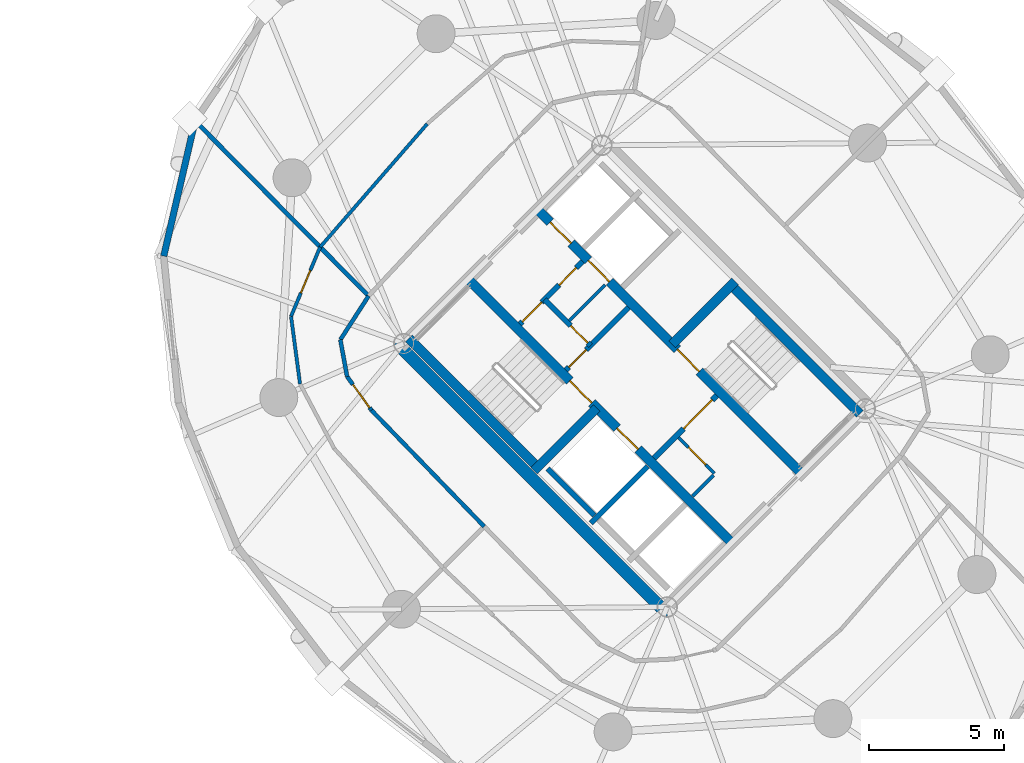
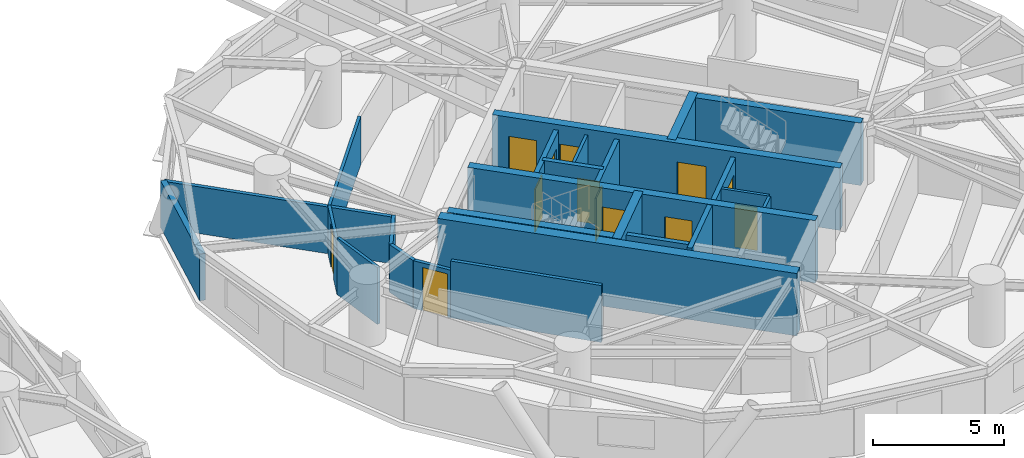
# One storey, part 13 of 18: 25 walls, 13 doors, 13 openings.
"""IFC4 building model written with IfcOpenShell, lengths in metres."""

from ifc_helpers import new_model, si_unit, direction, frame, frame_2d, origin, place, context, subcontext, project, spatial, rectangle, extrude, source, transform, mapped, material, layer, layer_set, type_object, element, fill, save


model = new_model("IFC4")

# Units and contexts
model_context = context("Model", 3, precision=1e-05, world=origin(), true_north=direction((0.0, 1.0)))
body_context = subcontext(model_context, "Body", "Model", "MODEL_VIEW")
ifc_project = project(units=[si_unit("LENGTHUNIT", "METRE"), si_unit("AREAUNIT", "SQUARE_METRE"), si_unit("VOLUMEUNIT", "CUBIC_METRE"), si_unit("PLANEANGLEUNIT", "RADIAN"), si_unit("MASSUNIT", "GRAM", prefix="KILO")], contexts=[model_context])

# Site, building, storey
site_placement = place(None, origin())
site = spatial("IfcSite", under=ifc_project, at=site_placement, CompositionType="ELEMENT")
building_placement = place(site_placement, origin())
building = spatial("IfcBuilding", under=site, at=building_placement, Name="Cununo Teusaquillo Station Towers", CompositionType="ELEMENT")
storey_placement = place(building_placement, frame((0.0, 0.0, 93.429931640625)))
storey = spatial("IfcBuildingStorey", under=building, at=storey_placement, Name="L29", CompositionType="ELEMENT", Elevation=93.429931640625)

# Walls
ifc_material_1 = material(Name="Concrete C50/60", Category="concrete")
ifc_layer_1 = layer(ifc_material_1, 0.199951171875)
ifc_layer_set_1 = layer_set([ifc_layer_1], Name="Concrete C50/60")
wall_type_1 = type_object("IfcWallType", Name="WL-CORE-200", PredefinedType="SHEAR", material=ifc_layer_set_1)
wall_1_placement = place(storey_placement, frame((55.8876953125, 19.0693359375, 0.0), z_axis=(0.0, 0.0, 1.0), x_axis=(0.707106781187, 0.707106781187, 0.0)))
element("IfcWall", 1, at=wall_1_placement, inside=storey, type_object=wall_type_1, Name="L29 Tower B Firefighting Lift Shaft South Shear Wall", PredefinedType="SHEAR", context=body_context, shape_type="SweptSolid", body=[
    extrude(rectangle(XDim=2.969970703125, YDim=0.199951171875, at=frame_2d((1.48486328125, 0.0))), origin(), (0.0, 0.0, 1.0), 2.91015625),
])
wall_2_placement = place(storey_placement, frame((56.01513671875, 19.366455078125, 0.0), z_axis=(0.0, 0.0, 1.0), x_axis=(-0.707106781187, 0.707106781187, 0.0)))
element("IfcWall", 2, at=wall_2_placement, inside=storey, type_object=wall_type_1, Name="L29 Tower B Firefighting Lift Shaft Rear Shear Wall", PredefinedType="SHEAR", context=body_context, shape_type="SweptSolid", body=[
    extrude(rectangle(XDim=2.43994140625, YDim=0.199951171875, at=frame_2d((1.219970703125, 0.0))), origin(), (0.0, 0.0, 1.0), 2.91015625),
])

# Wall, openings, doors
ifc_material_2 = material(Name="Concrete C50/60", Category="concrete")
ifc_layer_2 = layer(ifc_material_2, 0.35009765625)
ifc_layer_set_2 = layer_set([ifc_layer_2], Name="Concrete C50/60")
wall_type_2 = type_object("IfcWallType", Name="WL-CORE-350", PredefinedType="SHEAR", material=ifc_layer_set_2)
wall_3_placement = place(storey_placement, frame((61.077880859375, 18.355224609375, 0.0), z_axis=(0.0, 0.0, 1.0), x_axis=(-0.707106781187, 0.707106781187, 0.0)))
wall_3 = element("IfcWall", 3, at=wall_3_placement, inside=storey, type_object=wall_type_2, Name="L29 Tower B Core Shear Wall IW", PredefinedType="SHEAR", context=body_context, shape_type="SweptSolid", body=[
    extrude(rectangle(XDim=13.75, YDim=0.35009765625, at=frame_2d((6.875, 0.0))), origin(), (0.0, 0.0, 1.0), 2.91015625),
])
shared_shape_1 = source(origin(), body_context, "Body", "SweptSolid", [
    extrude(rectangle(XDim=1.10009765625, YDim=2.014892578125, at=frame_2d((0.550048828125, 1.00732421875))), frame((0.0, 0.18505859375, 0.0), z_axis=(0.0, -1.0, 0.0), x_axis=(1.0, 0.0, 0.0)), (0.0, 0.0, 1.0), 0.3701171875),
])
opening_1_placement = place(wall_3_placement, frame((4.875, 0.0, 0.0)))
opening_1 = element("IfcOpeningElement", 4, at=opening_1_placement, cuts=wall_3, Name="Opening LD-01", PredefinedType="OPENING", context=body_context, shape_type="MappedRepresentation", body=[
    mapped(shared_shape_1, transform((0.0, 0.0, 0.0), x_axis=(1.0, 0.0, 0.0), y_axis=(0.0, 1.0, 0.0), z_axis=(0.0, 0.0, 1.0), scale=1.0)),
])
shared_shape_2 = source(origin(), body_context, "Body", "SweptSolid", [
    extrude(rectangle(XDim=1.14990234375, YDim=2.02001953125, at=frame_2d((0.574951171875, 1.010009765625))), frame((0.0, 0.18505859375, 0.0), z_axis=(0.0, -1.0, 0.0), x_axis=(1.0, 0.0, 0.0)), (0.0, 0.0, 1.0), 0.3701171875),
])
opening_2_placement = place(wall_3_placement, frame((7.294921875, 0.0, 0.0)))
opening_2 = element("IfcOpeningElement", 5, at=opening_2_placement, cuts=wall_3, Name="Opening D-ST1", PredefinedType="OPENING", context=body_context, shape_type="MappedRepresentation", body=[
    mapped(shared_shape_2, transform((0.0, 0.0, 0.0), x_axis=(1.0, 0.0, 0.0), y_axis=(0.0, 1.0, 0.0), z_axis=(0.0, 0.0, 1.0), scale=1.0)),
])
ifc_material_3 = material(Name="Galvanised fire-rated hollow steel door assembly", Category="steel")
door_type_1 = type_object("IfcDoorType", Name="DR-LIFT-1100", OperationType="SLIDING_TO_LEFT", PredefinedType="DOOR", material=ifc_material_3)
shared_shape_3 = source(origin(), body_context, "Body", "SweptSolid", [
    extrude(rectangle(XDim=1.10009765625, YDim=2.014892578125, at=frame_2d((0.550048828125, 1.00732421875))), frame((0.0, 0.02490234375, 0.0), z_axis=(0.0, -1.0, 0.0), x_axis=(1.0, 0.0, 0.0)), (0.0, 0.0, 1.0), 0.050048828125),
])
door_1_placement = place(opening_1_placement, origin())
door_1 = element("IfcDoor", 6, at=door_1_placement, inside=storey, type_object=door_type_1, Name="L29 Lift FL-T2 Sliding Landing Door", OperationType="SLIDING_TO_LEFT", OverallHeight=2.014892578125, OverallWidth=1.10009765625, PredefinedType="DOOR", context=body_context, shape_type="MappedRepresentation", body=[
    mapped(shared_shape_3, transform((0.0, 0.0, 0.0), x_axis=(1.0, 0.0, 0.0), y_axis=(0.0, 1.0, 0.0), z_axis=(0.0, 0.0, 1.0), scale=1.0)),
])
fill(opening_1, door_1)
ifc_material_4 = material(Name="Galvanised fire-rated hollow steel door assembly", Category="steel")
door_type_2 = type_object("IfcDoorType", Name="DR-STAIR-1150", OperationType="NOTDEFINED", PredefinedType="DOOR", material=ifc_material_4)
shared_shape_4 = source(origin(), body_context, "Body", "SweptSolid", [
    extrude(rectangle(XDim=1.14990234375, YDim=2.02001953125, at=frame_2d((0.574951171875, 1.010009765625))), frame((0.0, 0.02490234375, 0.0), z_axis=(0.0, -1.0, 0.0), x_axis=(1.0, 0.0, 0.0)), (0.0, 0.0, 1.0), 0.050048828125),
])
door_2_placement = place(opening_2_placement, origin())
door_2 = element("IfcDoor", 7, at=door_2_placement, inside=storey, type_object=door_type_2, Name="L29 Tower B Exit Stair 1 Fire Door", OperationType="SINGLE_SWING_LEFT", OverallHeight=2.02001953125, OverallWidth=1.14990234375, PredefinedType="DOOR", context=body_context, shape_type="MappedRepresentation", body=[
    mapped(shared_shape_4, transform((0.0, 0.0, 0.0), x_axis=(1.0, 0.0, 0.0), y_axis=(0.0, 1.0, 0.0), z_axis=(0.0, 0.0, 1.0), scale=1.0)),
])
fill(opening_2, door_2)

wall_4_placement = place(storey_placement, frame((63.644775390625, 20.922119140625, 0.0), z_axis=(0.0, 0.0, 1.0), x_axis=(-0.707106781187, 0.707106781187, 0.0)))
wall_4 = element("IfcWall", 8, at=wall_4_placement, inside=storey, type_object=wall_type_2, Name="L29 Tower B Core Shear Wall IE", PredefinedType="SHEAR", context=body_context, shape_type="SweptSolid", body=[
    extrude(rectangle(XDim=13.75, YDim=0.35009765625, at=frame_2d((6.875, 0.0))), origin(), (0.0, 0.0, 1.0), 2.91015625),
])
opening_3_placement = place(wall_4_placement, frame((10.0, 0.0, 0.0)))
opening_3 = element("IfcOpeningElement", 9, at=opening_3_placement, cuts=wall_4, Name="Opening LD-01", PredefinedType="OPENING", context=body_context, shape_type="MappedRepresentation", body=[
    mapped(shared_shape_1, transform((0.0, 0.0, 0.0), x_axis=(1.0, 0.0, 0.0), y_axis=(0.0, 1.0, 0.0), z_axis=(0.0, 0.0, 1.0), scale=1.0)),
])
opening_4_placement = place(wall_4_placement, frame((12.0, 0.0, 0.0)))
opening_4 = element("IfcOpeningElement", 10, at=opening_4_placement, cuts=wall_4, Name="Opening LD-01", PredefinedType="OPENING", context=body_context, shape_type="MappedRepresentation", body=[
    mapped(shared_shape_1, transform((0.0, 0.0, 0.0), x_axis=(1.0, 0.0, 0.0), y_axis=(0.0, 1.0, 0.0), z_axis=(0.0, 0.0, 1.0), scale=1.0)),
])
opening_5_placement = place(wall_4_placement, frame((5.304931640625, 0.0, 0.0)))
opening_5 = element("IfcOpeningElement", 11, at=opening_5_placement, cuts=wall_4, Name="Opening D-ST1", PredefinedType="OPENING", context=body_context, shape_type="MappedRepresentation", body=[
    mapped(shared_shape_2, transform((0.0, 0.0, 0.0), x_axis=(1.0, 0.0, 0.0), y_axis=(0.0, 1.0, 0.0), z_axis=(0.0, 0.0, 1.0), scale=1.0)),
])
door_3_placement = place(opening_3_placement, origin())
door_3 = element("IfcDoor", 12, at=door_3_placement, inside=storey, type_object=door_type_1, Name="L29 Lift PL-T2-L1 Sliding Landing Door", OperationType="SLIDING_TO_LEFT", OverallHeight=2.014892578125, OverallWidth=1.10009765625, PredefinedType="DOOR", context=body_context, shape_type="MappedRepresentation", body=[
    mapped(shared_shape_3, transform((0.0, 0.0, 0.0), x_axis=(1.0, 0.0, 0.0), y_axis=(0.0, 1.0, 0.0), z_axis=(0.0, 0.0, 1.0), scale=1.0)),
])
fill(opening_3, door_3)
door_4_placement = place(opening_4_placement, origin())
door_4 = element("IfcDoor", 13, at=door_4_placement, inside=storey, type_object=door_type_1, Name="L29 Lift PL-T2-L2 Sliding Landing Door", OperationType="SLIDING_TO_RIGHT", OverallHeight=2.014892578125, OverallWidth=1.10009765625, PredefinedType="DOOR", context=body_context, shape_type="MappedRepresentation", body=[
    mapped(shared_shape_3, transform((0.0, 0.0, 0.0), x_axis=(1.0, 0.0, 0.0), y_axis=(0.0, 1.0, 0.0), z_axis=(0.0, 0.0, 1.0), scale=1.0)),
])
fill(opening_4, door_4)
door_5_placement = place(opening_5_placement, origin())
door_5 = element("IfcDoor", 14, at=door_5_placement, inside=storey, type_object=door_type_2, Name="L29 Tower B Exit Stair 2 Fire Door", OperationType="SINGLE_SWING_RIGHT", OverallHeight=2.02001953125, OverallWidth=1.14990234375, PredefinedType="DOOR", context=body_context, shape_type="MappedRepresentation", body=[
    mapped(shared_shape_4, transform((0.0, 0.0, 0.0), x_axis=(1.0, 0.0, 0.0), y_axis=(0.0, 1.0, 0.0), z_axis=(0.0, 0.0, 1.0), scale=1.0)),
])
fill(opening_5, door_5)

# Walls
wall_5_placement = place(storey_placement, frame((53.922119140625, 21.14111328125, 0.0), z_axis=(0.0, 0.0, 1.0), x_axis=(-0.707088616009, 0.707124945897, 0.0)))
element("IfcWall", 15, at=wall_5_placement, inside=storey, type_object=wall_type_2, Name="L29 Tower B Core Shear Wall ST1W", PredefinedType="SHEAR", context=body_context, shape_type="SweptSolid", body=[
    extrude(rectangle(XDim=6.72021484375, YDim=0.35009765625, at=frame_2d((3.360107421875, 0.0))), origin(), (0.0, 0.0, 1.0), 2.91015625),
])
wall_6_placement = place(storey_placement, frame((53.7841796875, 21.00341796875, 0.0), z_axis=(0.0, 0.0, 1.0), x_axis=(0.707106781187, 0.707106781187, 0.0)))
element("IfcWall", 16, at=wall_6_placement, inside=storey, type_object=wall_type_2, Name="L29 Tower B Core Shear Wall ST1S", PredefinedType="SHEAR", context=body_context, shape_type="SweptSolid", body=[
    extrude(rectangle(XDim=3.284912109375, YDim=0.35009765625, at=frame_2d((1.642578125, 0.0))), origin(), (0.0, 0.0, 1.0), 2.91015625),
])
wall_7_placement = place(storey_placement, frame((65.82958984375, 23.10693359375, 0.0), z_axis=(0.0, 0.0, 1.0), x_axis=(-0.707088616009, 0.707124945897, 0.0)))
element("IfcWall", 17, at=wall_7_placement, inside=storey, type_object=wall_type_2, Name="L29 Tower B Core Shear Wall ST2E", PredefinedType="SHEAR", context=body_context, shape_type="SweptSolid", body=[
    extrude(rectangle(XDim=6.72021484375, YDim=0.35009765625, at=frame_2d((3.360107421875, 0.0))), origin(), (0.0, 0.0, 1.0), 2.91015625),
])
wall_8_placement = place(storey_placement, frame((58.89306640625, 25.673828125, 0.0), z_axis=(0.0, 0.0, 1.0), x_axis=(0.707106781187, 0.707106781187, 0.0)))
element("IfcWall", 18, at=wall_8_placement, inside=storey, type_object=wall_type_2, Name="L29 Tower B Core Shear Wall ST2N", PredefinedType="SHEAR", context=body_context, shape_type="SweptSolid", body=[
    extrude(rectangle(XDim=3.284912109375, YDim=0.35009765625, at=frame_2d((1.642578125, 0.0))), origin(), (0.0, 0.0, 1.0), 2.91015625),
])
ifc_material_5 = material(Name="Concrete C60/75", Category="concrete")
ifc_layer_3 = layer(ifc_material_5, 0.449951171875)
ifc_layer_set_3 = layer_set([ifc_layer_3], Name="Concrete C60/75")
wall_type_3 = type_object("IfcWallType", Name="WL-CORE-450", PredefinedType="SHEAR", material=ifc_layer_set_3)
wall_9_placement = place(storey_placement, frame((58.7373046875, 15.696533203125, 0.0), z_axis=(0.0, 0.0, 1.0), x_axis=(-0.707106781187, 0.707106781187, 0.0)))
element("IfcWall", 19, at=wall_9_placement, inside=storey, type_object=wall_type_3, Name="L29 Tower B Core Shear Wall W", PredefinedType="SHEAR", context=body_context, shape_type="SweptSolid", body=[
    extrude(rectangle(XDim=14.19970703125, YDim=0.449951171875, at=frame_2d((7.099853515625, 0.0))), origin(), (0.0, 0.0, 1.0), 2.91015625),
])
ifc_material_6 = material(Name="Precast concrete C40/50", Category="concrete")
ifc_layer_4 = layer(ifc_material_6, 0.239990234375)
ifc_layer_set_4 = layer_set([ifc_layer_4], Name="Precast concrete C40/50")
wall_type_4 = type_object("IfcWallType", Name="WL-EXT-240", PredefinedType="SOLIDWALL", material=ifc_layer_set_4)
wall_10_placement = place(storey_placement, frame((40.114990234375, 28.933349609375, 0.0), z_axis=(0.0, 0.0, 1.0), x_axis=(0.225834725257, 0.974165631126, 0.0)))
element("IfcWall", 20, at=wall_10_placement, inside=storey, type_object=wall_type_4, Name="L29 Tower B Exterior Facade Wall C06", PredefinedType="SOLIDWALL", context=body_context, shape_type="SweptSolid", body=[
    extrude(rectangle(XDim=5.118896484375, YDim=0.239990234375, at=frame_2d((2.5595703125, 0.0))), origin(), (0.0, 0.0, 1.0), 2.178955078125),
])

# Wall, opening, door
ifc_material_7 = material(Name="Fire-rated gypsum plasterboard partition assembly", Category="gypsum")
ifc_layer_5 = layer(ifc_material_7, 0.125)
ifc_layer_set_5 = layer_set([ifc_layer_5], Name="Fire-rated gypsum plasterboard partition assembly")
wall_type_5 = type_object("IfcWallType", Name="WL-PART-125", PredefinedType="PARTITIONING", material=ifc_layer_set_5)
wall_11_placement = place(storey_placement, frame((60.448486328125, 20.9150390625, 0.0), z_axis=(0.0, 0.0, 1.0), x_axis=(-0.707106781187, 0.707106781187, 0.0)))
wall_11 = element("IfcWall", 21, at=wall_11_placement, inside=storey, type_object=wall_type_5, Name="L29 Tower B North-West Lobby Store East Wall", PredefinedType="PARTITIONING", context=body_context, shape_type="SweptSolid", body=[
    extrude(rectangle(XDim=1.869873046875, YDim=0.125, at=frame_2d((0.93505859375, 0.0))), origin(), (0.0, 0.0, 1.0), 2.655029296875),
])
shared_shape_5 = source(origin(), body_context, "Body", "SweptSolid", [
    extrude(rectangle(XDim=0.89990234375, YDim=2.0048828125, at=frame_2d((0.449951171875, 1.00244140625))), frame((0.0, 0.072509765625, 0.0), z_axis=(0.0, -1.0, 0.0), x_axis=(1.0, 0.0, 0.0)), (0.0, 0.0, 1.0), 0.14501953125),
])
opening_6_placement = place(wall_11_placement, frame((0.449951171875, 0.0, 0.0)))
opening_6 = element("IfcOpeningElement", 22, at=opening_6_placement, cuts=wall_11, Name="Opening D-SR1", PredefinedType="OPENING", context=body_context, shape_type="MappedRepresentation", body=[
    mapped(shared_shape_5, transform((0.0, 0.0, 0.0), x_axis=(1.0, 0.0, 0.0), y_axis=(0.0, 1.0, 0.0), z_axis=(0.0, 0.0, 1.0), scale=1.0)),
])
ifc_material_8 = material(Name="Galvanised fire-rated hollow steel door assembly", Category="steel")
door_type_3 = type_object("IfcDoorType", Name="DR-STORE-900", OperationType="NOTDEFINED", PredefinedType="DOOR", material=ifc_material_8)
shared_shape_6 = source(origin(), body_context, "Body", "SweptSolid", [
    extrude(rectangle(XDim=0.89990234375, YDim=2.0048828125, at=frame_2d((0.449951171875, 1.00244140625))), frame((0.0, 0.02490234375, 0.0), z_axis=(0.0, -1.0, 0.0), x_axis=(1.0, 0.0, 0.0)), (0.0, 0.0, 1.0), 0.050048828125),
])
door_6_placement = place(opening_6_placement, origin())
door_6 = element("IfcDoor", 23, at=door_6_placement, inside=storey, type_object=door_type_3, Name="L29 Tower B South Lobby Data Store Door", OperationType="SINGLE_SWING_LEFT", OverallHeight=2.0048828125, OverallWidth=0.89990234375, PredefinedType="DOOR", context=body_context, shape_type="MappedRepresentation", body=[
    mapped(shared_shape_6, transform((0.0, 0.0, 0.0), x_axis=(1.0, 0.0, 0.0), y_axis=(0.0, 1.0, 0.0), z_axis=(0.0, 0.0, 1.0), scale=1.0)),
])
fill(opening_6, door_6)

# Walls
wall_12_placement = place(storey_placement, frame((59.642578125, 20.06640625, 0.0), z_axis=(0.0, 0.0, 1.0), x_axis=(0.707106781187, 0.707106781187, 0.0)))
element("IfcWall", 24, at=wall_12_placement, inside=storey, type_object=wall_type_5, Name="L29 Tower B North-West Lobby Store South Wall", PredefinedType="PARTITIONING", context=body_context, shape_type="SweptSolid", body=[
    extrude(rectangle(XDim=1.10009765625, YDim=0.125, at=frame_2d((0.550048828125, 0.0))), origin(), (0.0, 0.0, 1.0), 2.655029296875),
])
wall_13_placement = place(storey_placement, frame((55.0888671875, 26.54345703125, 0.0), z_axis=(0.0, 0.0, 1.0), x_axis=(0.707106781187, 0.707106781187, 0.0)))
element("IfcWall", 25, at=wall_13_placement, inside=storey, type_object=wall_type_5, Name="L29 Tower B Core Horizontal Split Wall", PredefinedType="PARTITIONING", context=body_context, shape_type="SweptSolid", body=[
    extrude(rectangle(XDim=1.8798828125, YDim=0.125, at=frame_2d((0.93994140625, 0.0))), origin(), (0.0, 0.0, 1.0), 2.655029296875),
])
wall_14_placement = place(storey_placement, frame((49.845458984375, 33.817138671875, 0.0), z_axis=(0.0, 0.0, 1.0), x_axis=(-0.656101508867, -0.754672650931, 0.0)))
element("IfcWall", 26, at=wall_14_placement, inside=storey, type_object=wall_type_5, Name="L29 Tower B Parametric Prototyping Lab Concentric Partition Wall C05", PredefinedType="PARTITIONING", context=body_context, shape_type="SweptSolid", body=[
    extrude(rectangle(XDim=6.028564453125, YDim=0.125, at=frame_2d((3.01416015625, 0.0))), origin(), (0.0, 0.0, 1.0), 2.22509765625),
])

# Wall, opening, door
wall_15_placement = place(storey_placement, frame((45.89013671875, 29.267578125, 0.0), z_axis=(0.0, 0.0, 1.0), x_axis=(-0.387057419757, -0.922055613188, 0.0)))
wall_15 = element("IfcWall", 27, at=wall_15_placement, inside=storey, type_object=wall_type_5, Name="L29 Tower B Client Demo Briefing Gallery Concentric Partition Wall C06", PredefinedType="PARTITIONING", context=body_context, shape_type="SweptSolid", body=[
    extrude(rectangle(XDim=2.774169921875, YDim=0.125, at=frame_2d((1.38720703125, 0.0))), origin(), (0.0, 0.0, 1.0), 2.22509765625),
])
opening_7_placement = place(wall_15_placement, frame((0.93701171875, 0.0, 0.0)))
opening_7 = element("IfcOpeningElement", 28, at=opening_7_placement, cuts=wall_15, Name="Opening D-IN1", PredefinedType="OPENING", context=body_context, shape_type="MappedRepresentation", body=[
    mapped(shared_shape_5, transform((0.0, 0.0, 0.0), x_axis=(1.0, 0.0, 0.0), y_axis=(0.0, 1.0, 0.0), z_axis=(0.0, 0.0, 1.0), scale=1.0)),
])
ifc_material_9 = material(Name="Acoustic solid-core hardwood leaf assembly", Category="wood")
door_type_4 = type_object("IfcDoorType", Name="DR-INT-900", OperationType="NOTDEFINED", PredefinedType="DOOR", material=ifc_material_9)
door_7_placement = place(opening_7_placement, origin())
door_7 = element("IfcDoor", 29, at=door_7_placement, inside=storey, type_object=door_type_4, Name="L29 Tower B Client Demo Briefing Gallery Connecting Door", OperationType="SINGLE_SWING_LEFT", OverallHeight=2.0048828125, OverallWidth=0.89990234375, PredefinedType="DOOR", context=body_context, shape_type="MappedRepresentation", body=[
    mapped(shared_shape_6, transform((0.0, 0.0, 0.0), x_axis=(1.0, 0.0, 0.0), y_axis=(0.0, 1.0, 0.0), z_axis=(0.0, 0.0, 1.0), scale=1.0)),
])
fill(opening_7, door_7)

# Walls
wall_16_placement = place(storey_placement, frame((44.81640625, 26.709716796875, 0.0), z_axis=(0.0, 0.0, 1.0), x_axis=(0.131724981355, -0.991286300363, 0.0)))
element("IfcWall", 30, at=wall_16_placement, inside=storey, type_object=wall_type_5, Name="L29 Tower B Client Demo Briefing Gallery Concentric Partition Wall C07", PredefinedType="PARTITIONING", context=body_context, shape_type="SweptSolid", body=[
    extrude(rectangle(XDim=2.51513671875, YDim=0.125, at=frame_2d((1.257568359375, 0.0))), origin(), (0.0, 0.0, 1.0), 2.655029296875),
])
ifc_material_10 = material(Name="Fire-rated gypsum plasterboard partition assembly", Category="gypsum")
ifc_layer_6 = layer(ifc_material_10, 0.14990234375)
ifc_layer_set_6 = layer_set([ifc_layer_6], Name="Fire-rated gypsum plasterboard partition assembly")
wall_type_6 = type_object("IfcWallType", Name="WL-PART-150", PredefinedType="PARTITIONING", material=ifc_layer_set_6)
wall_17_placement = place(storey_placement, frame((47.6796875, 27.462158203125, 0.0), z_axis=(0.0, 0.0, 1.0), x_axis=(-0.542097952486, -0.840315303865, 0.0)))
element("IfcWall", 31, at=wall_17_placement, inside=storey, type_object=wall_type_6, Name="L29 Tower B Corridor Ring Wall C06", PredefinedType="PARTITIONING", context=body_context, shape_type="SweptSolid", body=[
    extrude(rectangle(XDim=1.923095703125, YDim=0.14990234375, at=frame_2d((0.96142578125, 0.0))), origin(), (0.0, 0.0, 1.0), 2.22509765625),
])
wall_18_placement = place(storey_placement, frame((46.63720703125, 25.84619140625, 0.0), z_axis=(0.0, 0.0, 1.0), x_axis=(0.179617307107, -0.983736561782, 0.0)))
element("IfcWall", 32, at=wall_18_placement, inside=storey, type_object=wall_type_6, Name="L29 Tower B Corridor Ring Wall C07", PredefinedType="PARTITIONING", context=body_context, shape_type="SweptSolid", body=[
    extrude(rectangle(XDim=1.379638671875, YDim=0.14990234375, at=frame_2d((0.68994140625, 0.0))), origin(), (0.0, 0.0, 1.0), 2.22509765625),
])

# Wall, opening, door
wall_19_placement = place(storey_placement, frame((46.885009765625, 24.489013671875, 0.0), z_axis=(0.0, 0.0, 1.0), x_axis=(0.585716430945, -0.810516047047, 0.0)))
wall_19 = element("IfcWall", 33, at=wall_19_placement, inside=storey, type_object=wall_type_6, Name="L29 Tower B Corridor Ring Wall C08", PredefinedType="PARTITIONING", context=body_context, shape_type="SweptSolid", body=[
    extrude(rectangle(XDim=1.538818359375, YDim=0.14990234375, at=frame_2d((0.76953125, 0.0))), origin(), (0.0, 0.0, 1.0), 2.22509765625),
])
shared_shape_7 = source(origin(), body_context, "Body", "SweptSolid", [
    extrude(rectangle(XDim=1.050048828125, YDim=2.014892578125, at=frame_2d((0.52490234375, 1.00732421875))), frame((0.0, 0.0849609375, 0.0), z_axis=(0.0, -1.0, 0.0), x_axis=(1.0, 0.0, 0.0)), (0.0, 0.0, 1.0), 0.169921875),
])
opening_8_placement = place(wall_19_placement, frame((0.36865234375, 0.0, 0.0)))
opening_8 = element("IfcOpeningElement", 34, at=opening_8_placement, cuts=wall_19, Name="Opening D-SU1", PredefinedType="OPENING", context=body_context, shape_type="MappedRepresentation", body=[
    mapped(shared_shape_7, transform((0.0, 0.0, 0.0), x_axis=(1.0, 0.0, 0.0), y_axis=(0.0, 1.0, 0.0), z_axis=(0.0, 0.0, 1.0), scale=1.0)),
])
ifc_material_11 = material(Name="Acoustic solid-core hardwood leaf assembly", Category="wood")
door_type_5 = type_object("IfcDoorType", Name="DR-SUITE-1050", OperationType="NOTDEFINED", PredefinedType="DOOR", material=ifc_material_11)
shared_shape_8 = source(origin(), body_context, "Body", "SweptSolid", [
    extrude(rectangle(XDim=1.050048828125, YDim=2.014892578125, at=frame_2d((0.52490234375, 1.00732421875))), frame((0.0, 0.02490234375, 0.0), z_axis=(0.0, -1.0, 0.0), x_axis=(1.0, 0.0, 0.0)), (0.0, 0.0, 1.0), 0.050048828125),
])
door_8_placement = place(opening_8_placement, origin())
door_8 = element("IfcDoor", 35, at=door_8_placement, inside=storey, type_object=door_type_5, Name="L29 Tower B Client Demo Briefing Gallery Entrance Door", OperationType="SINGLE_SWING_RIGHT", OverallHeight=2.014892578125, OverallWidth=1.050048828125, PredefinedType="DOOR", context=body_context, shape_type="MappedRepresentation", body=[
    mapped(shared_shape_8, transform((0.0, 0.0, 0.0), x_axis=(1.0, 0.0, 0.0), y_axis=(0.0, 1.0, 0.0), z_axis=(0.0, 0.0, 1.0), scale=1.0)),
])
fill(opening_8, door_8)

# Walls
wall_20_placement = place(storey_placement, frame((47.786376953125, 23.24169921875, 0.0), z_axis=(0.0, 0.0, 1.0), x_axis=(0.696183456981, -0.717863910659, 0.0)))
element("IfcWall", 36, at=wall_20_placement, inside=storey, type_object=wall_type_6, Name="L29 Tower B Corridor Ring Wall C09", PredefinedType="PARTITIONING", context=body_context, shape_type="SweptSolid", body=[
    extrude(rectangle(XDim=5.9794921875, YDim=0.14990234375, at=frame_2d((2.98974609375, 0.0))), origin(), (0.0, 0.0, 1.0), 2.655029296875),
])
ifc_material_12 = material(Name="Fire-rated gypsum plasterboard partition assembly", Category="gypsum")
ifc_layer_7 = layer(ifc_material_12, 0.159912109375)
ifc_layer_set_7 = layer_set([ifc_layer_7], Name="Fire-rated gypsum plasterboard partition assembly")
wall_type_7 = type_object("IfcWallType", Name="WL-PART-160", PredefinedType="PARTITIONING", material=ifc_layer_set_7)
wall_21_placement = place(storey_placement, frame((47.6796875, 27.462158203125, 0.0), z_axis=(0.0, 0.0, 1.0), x_axis=(-0.703913074907, 0.710286127539, 0.0)))
element("IfcWall", 37, at=wall_21_placement, inside=storey, type_object=wall_type_7, Name="L29 Tower B Radial Suite Partition R03", PredefinedType="PARTITIONING", context=body_context, shape_type="SweptSolid", body=[
    extrude(rectangle(XDim=9.0791015625, YDim=0.159912109375, at=frame_2d((4.53955078125, 0.0))), origin(), (0.0, 0.0, 1.0), 2.178955078125),
])

# Wall, opening, door
ifc_material_13 = material(Name="Fire-rated gypsum plasterboard partition assembly", Category="gypsum")
ifc_layer_8 = layer(ifc_material_13, 0.199951171875)
ifc_layer_set_8 = layer_set([ifc_layer_8], Name="Fire-rated gypsum plasterboard partition assembly")
wall_type_8 = type_object("IfcWallType", Name="WL-PART-200", PredefinedType="PARTITIONING", material=ifc_layer_set_8)
wall_22_placement = place(storey_placement, frame((58.214111328125, 21.466552734375, 0.0), z_axis=(0.0, 0.0, 1.0), x_axis=(0.707106781187, 0.707106781187, 0.0)))
wall_22 = element("IfcWall", 38, at=wall_22_placement, inside=storey, type_object=wall_type_8, Name="L29 Tower B Firefighting Lift Lobby South Fire Wall", PredefinedType="PARTITIONING", context=body_context, shape_type="SweptSolid", body=[
    extrude(rectangle(XDim=3.280029296875, YDim=0.199951171875, at=frame_2d((1.64013671875, 0.0))), origin(), (0.0, 0.0, 1.0), 2.655029296875),
])
shared_shape_9 = source(origin(), body_context, "Body", "SweptSolid", [
    extrude(rectangle(XDim=1.5, YDim=2.02001953125, at=frame_2d((0.75, 1.010009765625))), frame((0.0, 0.10986328125, 0.0), z_axis=(0.0, -1.0, 0.0), x_axis=(1.0, 0.0, 0.0)), (0.0, 0.0, 1.0), 0.219970703125),
])
opening_9_placement = place(wall_22_placement, frame((1.550048828125, 0.0, 0.0)))
opening_9 = element("IfcOpeningElement", 39, at=opening_9_placement, cuts=wall_22, Name="Opening D-LB1", PredefinedType="OPENING", context=body_context, shape_type="MappedRepresentation", body=[
    mapped(shared_shape_9, transform((0.0, 0.0, 0.0), x_axis=(1.0, 0.0, 0.0), y_axis=(0.0, 1.0, 0.0), z_axis=(0.0, 0.0, 1.0), scale=1.0)),
])
ifc_material_14 = material(Name="Galvanised fire-rated hollow steel door assembly", Category="steel")
door_type_6 = type_object("IfcDoorType", Name="DR-LOBBY-1500", OperationType="DOUBLE_DOOR_SINGLE_SWING", PredefinedType="DOOR", material=ifc_material_14)
shared_shape_10 = source(origin(), body_context, "Body", "SweptSolid", [
    extrude(rectangle(XDim=1.5, YDim=2.02001953125, at=frame_2d((0.75, 1.010009765625))), frame((0.0, 0.02490234375, 0.0), z_axis=(0.0, -1.0, 0.0), x_axis=(1.0, 0.0, 0.0)), (0.0, 0.0, 1.0), 0.050048828125),
])
door_9_placement = place(opening_9_placement, origin())
door_9 = element("IfcDoor", 40, at=door_9_placement, inside=storey, type_object=door_type_6, Name="L29 Tower B Firefighting Lift Lobby South Fire Door", OperationType="DOUBLE_DOOR_SINGLE_SWING", OverallHeight=2.02001953125, OverallWidth=1.5, PredefinedType="DOOR", context=body_context, shape_type="MappedRepresentation", body=[
    mapped(shared_shape_10, transform((0.0, 0.0, 0.0), x_axis=(1.0, 0.0, 0.0), y_axis=(0.0, 1.0, 0.0), z_axis=(0.0, 0.0, 1.0), scale=1.0)),
])
fill(opening_9, door_9)

wall_23_placement = place(storey_placement, frame((54.96142578125, 24.71923828125, 0.0), z_axis=(0.0, 0.0, 1.0), x_axis=(0.707106781187, 0.707106781187, 0.0)))
wall_23 = element("IfcWall", 41, at=wall_23_placement, inside=storey, type_object=wall_type_8, Name="L29 Tower B Firefighting Lift Lobby North Fire Wall", PredefinedType="PARTITIONING", context=body_context, shape_type="SweptSolid", body=[
    extrude(rectangle(XDim=3.280029296875, YDim=0.199951171875, at=frame_2d((1.64013671875, 0.0))), origin(), (0.0, 0.0, 1.0), 2.655029296875),
])
shared_shape_11 = source(origin(), body_context, "Body", "SweptSolid", [
    extrude(rectangle(XDim=0.89990234375, YDim=2.0048828125, at=frame_2d((0.449951171875, 1.00244140625))), frame((0.0, 0.10986328125, 0.0), z_axis=(0.0, -1.0, 0.0), x_axis=(1.0, 0.0, 0.0)), (0.0, 0.0, 1.0), 0.219970703125),
])
opening_10_placement = place(wall_23_placement, frame((0.159912109375, 0.0, 0.0)))
opening_10 = element("IfcOpeningElement", 42, at=opening_10_placement, cuts=wall_23, Name="Opening D-SR1", PredefinedType="OPENING", context=body_context, shape_type="MappedRepresentation", body=[
    mapped(shared_shape_11, transform((0.0, 0.0, 0.0), x_axis=(1.0, 0.0, 0.0), y_axis=(0.0, 1.0, 0.0), z_axis=(0.0, 0.0, 1.0), scale=1.0)),
])
door_10_placement = place(opening_10_placement, origin())
door_10 = element("IfcDoor", 43, at=door_10_placement, inside=storey, type_object=door_type_3, Name="L29 Tower B Stair 1 Protected Vestibule South Door", OperationType="SINGLE_SWING_LEFT", OverallHeight=2.0048828125, OverallWidth=0.89990234375, PredefinedType="DOOR", context=body_context, shape_type="MappedRepresentation", body=[
    mapped(shared_shape_6, transform((0.0, 0.0, 0.0), x_axis=(1.0, 0.0, 0.0), y_axis=(0.0, 1.0, 0.0), z_axis=(0.0, 0.0, 1.0), scale=1.0)),
])
fill(opening_10, door_10)

wall_24_placement = place(storey_placement, frame((55.873779296875, 25.63134765625, 0.0), z_axis=(0.0, 0.0, 1.0), x_axis=(-0.707157639372, 0.707055919343, 0.0)))
wall_24 = element("IfcWall", 44, at=wall_24_placement, inside=storey, type_object=wall_type_8, Name="L29 Tower B Stair 1 Vestibule Partition Wall", PredefinedType="PARTITIONING", context=body_context, shape_type="SweptSolid", body=[
    extrude(rectangle(XDim=2.400146484375, YDim=0.199951171875, at=frame_2d((1.2001953125, 0.0))), origin(), (0.0, 0.0, 1.0), 2.655029296875),
])
opening_11_placement = place(wall_24_placement, frame((0.139892578125, 0.0, 0.0)))
opening_11 = element("IfcOpeningElement", 45, at=opening_11_placement, cuts=wall_24, Name="Opening D-SR1", PredefinedType="OPENING", context=body_context, shape_type="MappedRepresentation", body=[
    mapped(shared_shape_11, transform((0.0, 0.0, 0.0), x_axis=(1.0, 0.0, 0.0), y_axis=(0.0, 1.0, 0.0), z_axis=(0.0, 0.0, 1.0), scale=1.0)),
])
door_11_placement = place(opening_11_placement, origin())
door_11 = element("IfcDoor", 46, at=door_11_placement, inside=storey, type_object=door_type_3, Name="L29 Tower B Core Linen Store Door", OperationType="SINGLE_SWING_RIGHT", OverallHeight=2.0048828125, OverallWidth=0.89990234375, PredefinedType="DOOR", context=body_context, shape_type="MappedRepresentation", body=[
    mapped(shared_shape_6, transform((0.0, 0.0, 0.0), x_axis=(1.0, 0.0, 0.0), y_axis=(0.0, 1.0, 0.0), z_axis=(0.0, 0.0, 1.0), scale=1.0)),
])
fill(opening_11, door_11)

# Wall, openings, doors
wall_25_placement = place(storey_placement, frame((53.264404296875, 26.416259765625, 0.0), z_axis=(0.0, 0.0, 1.0), x_axis=(0.707106781187, 0.707106781187, 0.0)))
wall_25 = element("IfcWall", 47, at=wall_25_placement, inside=storey, type_object=wall_type_8, Name="L29 Tower B North Lift Lobby South Fire Wall", PredefinedType="PARTITIONING", context=body_context, shape_type="SweptSolid", body=[
    extrude(rectangle(XDim=3.280029296875, YDim=0.199951171875, at=frame_2d((1.64013671875, 0.0))), origin(), (0.0, 0.0, 1.0), 2.655029296875),
])
shared_shape_12 = source(origin(), body_context, "Body", "SweptSolid", [
    extrude(rectangle(XDim=1.0, YDim=2.014892578125, at=frame_2d((0.5, 1.00732421875))), frame((0.0, 0.10986328125, 0.0), z_axis=(0.0, -1.0, 0.0), x_axis=(1.0, 0.0, 0.0)), (0.0, 0.0, 1.0), 0.219970703125),
])
opening_12_placement = place(wall_25_placement, frame((0.139892578125, 0.0, 0.0)))
opening_12 = element("IfcOpeningElement", 48, at=opening_12_placement, cuts=wall_25, Name="Opening D-AC1", PredefinedType="OPENING", context=body_context, shape_type="MappedRepresentation", body=[
    mapped(shared_shape_12, transform((0.0, 0.0, 0.0), x_axis=(1.0, 0.0, 0.0), y_axis=(0.0, 1.0, 0.0), z_axis=(0.0, 0.0, 1.0), scale=1.0)),
])
opening_13_placement = place(wall_25_placement, frame((2.050048828125, 0.0, 0.0)))
opening_13 = element("IfcOpeningElement", 49, at=opening_13_placement, cuts=wall_25, Name="Opening D-SR1", PredefinedType="OPENING", context=body_context, shape_type="MappedRepresentation", body=[
    mapped(shared_shape_11, transform((0.0, 0.0, 0.0), x_axis=(1.0, 0.0, 0.0), y_axis=(0.0, 1.0, 0.0), z_axis=(0.0, 0.0, 1.0), scale=1.0)),
])
door_12_placement = place(opening_13_placement, origin())
door_12 = element("IfcDoor", 50, at=door_12_placement, inside=storey, type_object=door_type_3, Name="L29 Tower B Core Comms Room Door", OperationType="SINGLE_SWING_LEFT", OverallHeight=2.0048828125, OverallWidth=0.89990234375, PredefinedType="DOOR", context=body_context, shape_type="MappedRepresentation", body=[
    mapped(shared_shape_6, transform((0.0, 0.0, 0.0), x_axis=(1.0, 0.0, 0.0), y_axis=(0.0, 1.0, 0.0), z_axis=(0.0, 0.0, 1.0), scale=1.0)),
])
fill(opening_13, door_12)
ifc_material_15 = material(Name="Acoustic solid-core hardwood leaf assembly", Category="wood")
door_type_7 = type_object("IfcDoorType", Name="DR-ACC-1000", OperationType="NOTDEFINED", PredefinedType="DOOR", material=ifc_material_15)
shared_shape_13 = source(origin(), body_context, "Body", "SweptSolid", [
    extrude(rectangle(XDim=1.0, YDim=2.014892578125, at=frame_2d((0.5, 1.00732421875))), frame((0.0, 0.02490234375, 0.0), z_axis=(0.0, -1.0, 0.0), x_axis=(1.0, 0.0, 0.0)), (0.0, 0.0, 1.0), 0.050048828125),
])
door_13_placement = place(opening_12_placement, origin())
door_13 = element("IfcDoor", 51, at=door_13_placement, inside=storey, type_object=door_type_7, Name="L29 Tower B North Lift Lobby to Stair 1 Vestibule Door", OperationType="SINGLE_SWING_RIGHT", OverallHeight=2.014892578125, OverallWidth=1.0, PredefinedType="DOOR", context=body_context, shape_type="MappedRepresentation", body=[
    mapped(shared_shape_13, transform((0.0, 0.0, 0.0), x_axis=(1.0, 0.0, 0.0), y_axis=(0.0, 1.0, 0.0), z_axis=(0.0, 0.0, 1.0), scale=1.0)),
])
fill(opening_12, door_13)

save(model, "model.ifc")
